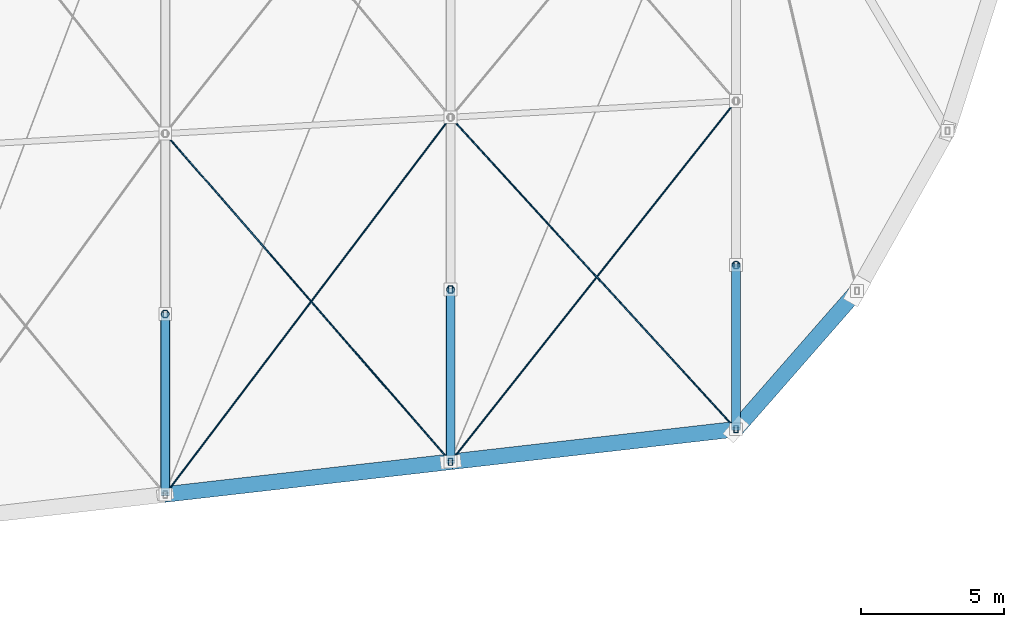
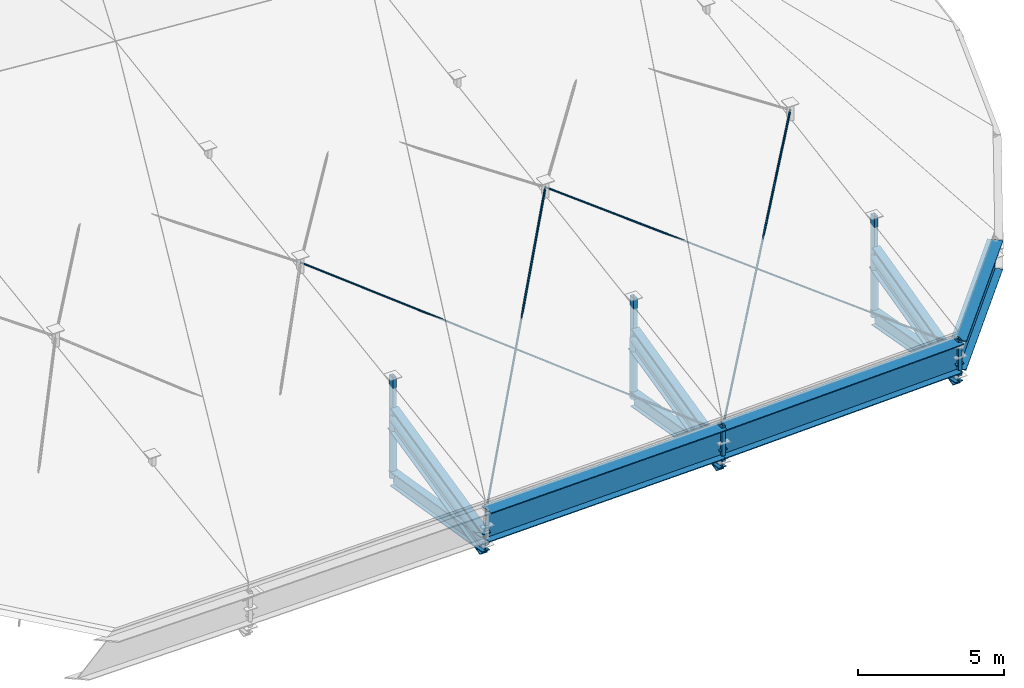
# One storey, part 23 of 68: 15 members, 9 beams.
"""IFC4 building model written with IfcOpenShell, lengths in metres."""

from ifc_helpers import new_model, si_unit, direction, frame, origin, origin_2d, place, context, subcontext, project, spatial, hollow_rectangle, circle, hollow_circle, i_section, extrude, material, material_profile, profile_set, type_object, element, save


model = new_model("IFC4")

# Units and contexts
model_context = context("Model", 3, precision=1e-05, world=origin(), true_north=direction((0.0, 1.0)))
body_context = subcontext(model_context, "Body", "Model", "MODEL_VIEW")
ifc_project = project(units=[si_unit("LENGTHUNIT", "METRE"), si_unit("AREAUNIT", "SQUARE_METRE"), si_unit("VOLUMEUNIT", "CUBIC_METRE"), si_unit("PLANEANGLEUNIT", "RADIAN"), si_unit("MASSUNIT", "GRAM", prefix="KILO")], contexts=[model_context])

# Site, building, storey
site_placement = place(None, origin())
site = spatial("IfcSite", under=ifc_project, at=site_placement, CompositionType="ELEMENT")
building_placement = place(site_placement, origin())
building = spatial("IfcBuilding", under=site, at=building_placement, Name="Sohan Crest Arena", CompositionType="ELEMENT")
storey_placement = place(building_placement, frame((0.0, 0.0, 27.0)))
storey = spatial("IfcBuildingStorey", under=building, at=storey_placement, Name="RF", CompositionType="ELEMENT", Elevation=27.0)

# Beams
ifc_material_1 = material(Name="Steel S355", Category="steel")
ifc_material_profile_1 = material_profile(ifc_material_1, i_section(OverallWidth=0.300048828125, OverallDepth=0.60009765625, WebThickness=0.015380859375, FlangeThickness=0.030029296875, at=origin_2d()), Name="HEB 600")
ifc_profile_set_1 = profile_set([ifc_material_profile_1], Name="Steel S355")
beam_type_1 = type_object("IfcBeamType", Name="STR-BM-B15", PredefinedType="BEAM", material=ifc_profile_set_1)
beam_1_placement = place(storey_placement, frame((148.0, 52.714111328125, -2.806884765625), z_axis=(0.0, 0.986480290831, -0.163879943255), x_axis=(-1.0, 0.0, 0.0)))
element("IfcBeam", 1, at=beam_1_placement, inside=storey, type_object=beam_type_1, Name="Structural beam RAB-RF-3097", PredefinedType="BEAM", context=body_context, shape_type="SweptSolid", body=[
    extrude(i_section(OverallWidth=0.300048828125, OverallDepth=0.60009765625, WebThickness=0.015380859375, FlangeThickness=0.030029296875, at=origin_2d()), origin(), (0.0, 0.0, 1.0), 6.407470703125),
])
beam_2_placement = place(storey_placement, frame((158.0, 53.85693359375, -3.511962890625), z_axis=(0.0, 0.985203857274, -0.171386579442), x_axis=(-1.0, 0.0, 0.0)))
element("IfcBeam", 2, at=beam_2_placement, inside=storey, type_object=beam_type_1, Name="Structural beam RAB-RF-3113", PredefinedType="BEAM", context=body_context, shape_type="SweptSolid", body=[
    extrude(i_section(OverallWidth=0.300048828125, OverallDepth=0.60009765625, WebThickness=0.015380859375, FlangeThickness=0.030029296875, at=origin_2d()), origin(), (0.0, 0.0, 1.0), 6.126708984375),
])
beam_3_placement = place(storey_placement, frame((168.0, 55.0, -4.131103515625), z_axis=(0.0, 0.983738659396, -0.179605818419), x_axis=(-1.0, 0.0, 0.0)))
element("IfcBeam", 3, at=beam_3_placement, inside=storey, type_object=beam_type_1, Name="Structural beam RAB-RF-3129", PredefinedType="BEAM", context=body_context, shape_type="SweptSolid", body=[
    extrude(i_section(OverallWidth=0.300048828125, OverallDepth=0.60009765625, WebThickness=0.015380859375, FlangeThickness=0.030029296875, at=origin_2d()), origin(), (0.0, 0.0, 1.0), 5.844970703125),
])
ifc_material_profile_2 = material_profile(ifc_material_1, i_section(OverallWidth=0.300048828125, OverallDepth=1.0, WebThickness=0.01904296875, FlangeThickness=0.035888671875, at=origin_2d()), Name="HEB 1000")
ifc_profile_set_2 = profile_set([ifc_material_profile_2], Name="Steel S355")
beam_type_2 = type_object("IfcBeamType", Name="STR-BM-B19", PredefinedType="BEAM", material=ifc_profile_set_2)
beam_4_placement = place(storey_placement, frame((148.0, 52.714111328125, -2.806884765625), z_axis=(0.0, 0.97488887861, 0.222691882121), x_axis=(-1.0, 0.0, 0.0)))
element("IfcBeam", 4, at=beam_4_placement, inside=storey, type_object=beam_type_2, Name="Structural beam RA-RF-3096", PredefinedType="BEAM", context=body_context, shape_type="SweptSolid", body=[
    extrude(i_section(OverallWidth=0.300048828125, OverallDepth=1.0, WebThickness=0.01904296875, FlangeThickness=0.035888671875, at=origin_2d()), origin(), (0.0, 0.0, 1.0), 6.483642578125),
])
beam_5_placement = place(storey_placement, frame((158.0, 53.85693359375, -3.511962890625), z_axis=(0.0, 0.972590498499, 0.232524670151), x_axis=(-1.0, 0.0, 0.0)))
element("IfcBeam", 5, at=beam_5_placement, inside=storey, type_object=beam_type_2, Name="Structural beam RA-RF-3112", PredefinedType="BEAM", context=body_context, shape_type="SweptSolid", body=[
    extrude(i_section(OverallWidth=0.300048828125, OverallDepth=1.0, WebThickness=0.01904296875, FlangeThickness=0.035888671875, at=origin_2d()), origin(), (0.0, 0.0, 1.0), 6.205322265625),
])
beam_6_placement = place(storey_placement, frame((168.0, 55.0, -4.131103515625), z_axis=(0.0, 0.969919223088, 0.243426992513), x_axis=(-1.0, 0.0, 0.0)))
element("IfcBeam", 6, at=beam_6_placement, inside=storey, type_object=beam_type_2, Name="Structural beam RA-RF-3128", PredefinedType="BEAM", context=body_context, shape_type="SweptSolid", body=[
    extrude(i_section(OverallWidth=0.300048828125, OverallDepth=1.0, WebThickness=0.01904296875, FlangeThickness=0.035888671875, at=origin_2d()), origin(), (0.0, 0.0, 1.0), 5.92822265625),
])
ifc_material_profile_3 = material_profile(ifc_material_1, i_section(OverallWidth=0.550048828125, OverallDepth=1.199951171875, WebThickness=0.02197265625, FlangeThickness=0.034912109375, at=origin_2d()), Name="PG 1200x550x22x35")
ifc_profile_set_3 = profile_set([ifc_material_profile_3], Name="Steel S355")
beam_type_3 = type_object("IfcBeamType", Name="STR-BM-RB01", PredefinedType="USERDEFINED", material=ifc_profile_set_3)
beam_7_placement = place(storey_placement, frame((148.0, 52.714111328125, -1.9970703125), z_axis=(0.991105911769, 0.113265790356, -0.069856512873), x_axis=(-0.113543170668, 0.993533063564, 0.0)))
element("IfcBeam", 7, at=beam_7_placement, inside=storey, type_object=beam_type_3, Name="Rising compression ring beam segment RB-18", ObjectType="RING BEAM", PredefinedType="USERDEFINED", context=body_context, shape_type="SweptSolid", body=[
    extrude(i_section(OverallWidth=0.550048828125, OverallDepth=1.199951171875, WebThickness=0.02197265625, FlangeThickness=0.034912109375, at=origin_2d()), origin(), (0.0, 0.0, 1.0), 10.08984375),
])
beam_8_placement = place(storey_placement, frame((158.0, 53.85693359375, -2.701904296875), z_axis=(0.991655929777, 0.113352857989, -0.061397447215), x_axis=(-0.113567114035, 0.99353032697, 0.0)))
element("IfcBeam", 8, at=beam_8_placement, inside=storey, type_object=beam_type_3, Name="Rising compression ring beam segment RB-19", ObjectType="RING BEAM", PredefinedType="USERDEFINED", context=body_context, shape_type="SweptSolid", body=[
    extrude(i_section(OverallWidth=0.550048828125, OverallDepth=1.199951171875, WebThickness=0.02197265625, FlangeThickness=0.034912109375, at=origin_2d()), origin(), (0.0, 0.0, 1.0), 10.084228515625),
])
beam_9_placement = place(storey_placement, frame((168.0, 55.0, -3.321044921875), z_axis=(0.658345836045, 0.751913602604, -0.034737506856), x_axis=(-0.752367678553, 0.658743407002, 0.0)))
element("IfcBeam", 9, at=beam_9_placement, inside=storey, type_object=beam_type_3, Name="Rising compression ring beam segment RB-20", ObjectType="RING BEAM", PredefinedType="USERDEFINED", context=body_context, shape_type="SweptSolid", body=[
    extrude(i_section(OverallWidth=0.550048828125, OverallDepth=1.199951171875, WebThickness=0.02197265625, FlangeThickness=0.034912109375, at=origin_2d()), origin(), (0.0, 0.0, 1.0), 6.44482421875),
])

# Members
ifc_material_profile_4 = material_profile(ifc_material_1, hollow_circle(Radius=0.136474609375, WallThickness=0.012451171875, at=origin_2d()), Name="CHS 273x12.5")
ifc_profile_set_4 = profile_set([ifc_material_profile_4], Name="Steel S355")
member_type_1 = type_object("IfcMemberType", Name="STR-MEM-BR02", PredefinedType="BRACE", material=ifc_profile_set_4)
member_1_placement = place(storey_placement, frame((148.0, 59.034912109375, -3.85693359375), z_axis=(0.0, 0.0, 1.0), x_axis=(1.0, 0.0, 0.0)))
element("IfcMember", 10, at=member_1_placement, inside=storey, type_object=member_type_1, Name="Lenticular roof truss web strut TW-191", PredefinedType="BRACE", context=body_context, shape_type="SweptSolid", body=[
    extrude(hollow_circle(Radius=0.136474609375, WallThickness=0.012451171875, at=origin_2d()), origin(), (0.0, 0.0, 1.0), 2.493896484375),
])
for number, where, z_axis, x_axis, name in (
    (11, (158.0, 59.89306640625, -4.56201171875), (0.0, -0.000391734374, 0.999999923272), (1.0, 0.0, 0.0), "Lenticular roof truss web strut TW-215"),
    (12, (168.0, 60.75, -5.180908203125), (0.0, 0.0, 1.0), (1.0, 0.0, 0.0), "Lenticular roof truss web strut TW-239"),
):
    element("IfcMember", number, at=place(storey_placement, frame(where, z_axis=z_axis, x_axis=x_axis)), inside=storey, type_object=member_type_1, Name=name, PredefinedType="BRACE", context=body_context, shape_type="SweptSolid", body=[
        extrude(hollow_circle(Radius=0.136474609375, WallThickness=0.012451171875, at=origin_2d()), origin(), (0.0, 0.0, 1.0), 2.492919921875),
    ])
ifc_material_profile_5 = material_profile(ifc_material_1, hollow_circle(Radius=0.161865234375, WallThickness=0.012451171875, at=origin_2d()), Name="CHS 323.9x12.5")
ifc_profile_set_5 = profile_set([ifc_material_profile_5], Name="Steel S355")
member_type_2 = type_object("IfcMemberType", Name="STR-MEM-BR03", PredefinedType="BRACE", material=ifc_profile_set_5)
member_2_placement = place(storey_placement, frame((148.0, 52.714111328125, -2.806884765625), z_axis=(0.0, 0.97488887861, 0.222691882121), x_axis=(-1.0, 0.0, 0.0)))
element("IfcMember", 13, at=member_2_placement, inside=storey, type_object=member_type_2, Name="Lenticular roof truss web diagonal TD-190", PredefinedType="BRACE", context=body_context, shape_type="SweptSolid", body=[
    extrude(hollow_circle(Radius=0.161865234375, WallThickness=0.012451171875, at=origin_2d()), origin(), (0.0, 0.0, 1.0), 6.483642578125),
])
member_3_placement = place(storey_placement, frame((158.0, 53.85693359375, -3.511962890625), z_axis=(0.0, 0.972590498499, 0.232524670151), x_axis=(-1.0, 0.0, 0.0)))
element("IfcMember", 14, at=member_3_placement, inside=storey, type_object=member_type_2, Name="Lenticular roof truss web diagonal TD-214", PredefinedType="BRACE", context=body_context, shape_type="SweptSolid", body=[
    extrude(hollow_circle(Radius=0.161865234375, WallThickness=0.012451171875, at=origin_2d()), origin(), (0.0, 0.0, 1.0), 6.205322265625),
])
member_4_placement = place(storey_placement, frame((168.0, 55.0, -4.131103515625), z_axis=(0.0, 0.969919223088, 0.243426992513), x_axis=(-1.0, 0.0, 0.0)))
element("IfcMember", 15, at=member_4_placement, inside=storey, type_object=member_type_2, Name="Lenticular roof truss web diagonal TD-238", PredefinedType="BRACE", context=body_context, shape_type="SweptSolid", body=[
    extrude(hollow_circle(Radius=0.161865234375, WallThickness=0.012451171875, at=origin_2d()), origin(), (0.0, 0.0, 1.0), 5.92822265625),
])
ifc_material_2 = material(Name="Steel S460", Category="steel")
ifc_material_profile_6 = material_profile(ifc_material_2, circle(Radius=0.031982421875, at=origin_2d()), Name="FLC D64")
ifc_profile_set_6 = profile_set([ifc_material_profile_6], Name="Steel S460")
member_type_3 = type_object("IfcMemberType", Name="STR-MEM-CB01", PredefinedType="USERDEFINED", material=ifc_profile_set_6)
member_5_placement = place(storey_placement, frame((148.0, 52.714111328125, -1.626953125), z_axis=(0.598291069184, 0.790573872766, 0.130540216926), x_axis=(-0.79739718864, 0.603454823122, 0.0)))
element("IfcMember", 16, at=member_5_placement, inside=storey, type_object=member_type_3, Name="Full-locked-coil roof cable CB-041", ObjectType="CABLE", PredefinedType="USERDEFINED", context=body_context, shape_type="SweptSolid", body=[
    extrude(circle(Radius=0.031982421875, at=origin_2d()), origin(), (0.0, 0.0, 1.0), 16.71435546875),
])
member_6_placement = place(storey_placement, frame((158.0, 53.85693359375, -2.33203125), z_axis=(0.614305254837, 0.776670213061, 0.139328511168), x_axis=(-0.784320304822, 0.620356074721, 0.0)))
element("IfcMember", 17, at=member_6_placement, inside=storey, type_object=member_type_3, Name="Full-locked-coil roof cable CB-049", ObjectType="CABLE", PredefinedType="USERDEFINED", context=body_context, shape_type="SweptSolid", body=[
    extrude(circle(Radius=0.031982421875, at=origin_2d()), origin(), (0.0, 0.0, 1.0), 16.278564453125),
])
ifc_material_profile_7 = material_profile(ifc_material_2, circle(Radius=0.02587890625, at=origin_2d()), Name="FLC D52")
ifc_profile_set_7 = profile_set([ifc_material_profile_7], Name="Steel S460")
member_type_4 = type_object("IfcMemberType", Name="STR-MEM-CB02", PredefinedType="USERDEFINED", material=ifc_profile_set_7)
member_7_placement = place(storey_placement, frame((148.0, 65.35693359375, 1.260986328125), z_axis=(0.638668347028, -0.734468599083, -0.229474659746), x_axis=(0.754605522164, 0.656178714925, 0.0)))
element("IfcMember", 18, at=member_7_placement, inside=storey, type_object=member_type_4, Name="Full-locked-coil roof cable CB-042", ObjectType="CABLE", PredefinedType="USERDEFINED", context=body_context, shape_type="SweptSolid", body=[
    extrude(circle(Radius=0.02587890625, at=origin_2d()), origin(), (0.0, 0.0, 1.0), 15.657470703125),
])
member_8_placement = place(storey_placement, frame((158.0, 65.927978515625, 0.554931640625), z_axis=(0.656940380802, -0.717903036745, -0.230314059285), x_axis=(0.737736073835, 0.675089242517, 0.0)))
element("IfcMember", 19, at=member_8_placement, inside=storey, type_object=member_type_4, Name="Full-locked-coil roof cable CB-050", ObjectType="CABLE", PredefinedType="USERDEFINED", context=body_context, shape_type="SweptSolid", body=[
    extrude(circle(Radius=0.02587890625, at=origin_2d()), origin(), (0.0, 0.0, 1.0), 15.22216796875),
])
ifc_material_profile_8 = material_profile(ifc_material_1, hollow_rectangle(XDim=0.14990234375, YDim=0.25, WallThickness=0.010009765625, at=origin_2d()), Name="RHS 250x150x10")
ifc_profile_set_8 = profile_set([ifc_material_profile_8], Name="Steel S355")
member_type_5 = type_object("IfcMemberType", Name="STR-MEM-CH02", PredefinedType="CHORD", material=ifc_profile_set_8)
member_9_placement = place(storey_placement, frame((148.0, 59.034912109375, -1.363037109375), z_axis=(0.0, 0.0, 1.0), x_axis=(1.0, 0.0, 0.0)))
element("IfcMember", 20, at=member_9_placement, inside=storey, type_object=member_type_5, Name="Roof deck bearing saddle chord RSP-182", PredefinedType="CHORD", context=body_context, shape_type="SweptSolid", body=[
    extrude(hollow_rectangle(XDim=0.14990234375, YDim=0.25, WallThickness=0.010009765625, at=origin_2d()), origin(), (0.0, 0.0, 1.0), 1.72998046875),
])
member_10_placement = place(storey_placement, frame((158.0, 53.85693359375, -3.511962890625), z_axis=(0.0, 0.0, 1.0), x_axis=(1.0, 0.0, 0.0)))
element("IfcMember", 21, at=member_10_placement, inside=storey, type_object=member_type_5, Name="Roof deck bearing saddle chord RSP-205", PredefinedType="CHORD", context=body_context, shape_type="SweptSolid", body=[
    extrude(hollow_rectangle(XDim=0.14990234375, YDim=0.25, WallThickness=0.010009765625, at=origin_2d()), origin(), (0.0, 0.0, 1.0), 1.489990234375),
])
member_11_placement = place(storey_placement, frame((158.0, 59.89208984375, -2.069091796875), z_axis=(0.0, 0.000564095242, 0.999999840898), x_axis=(1.0, 0.0, 0.0)))
element("IfcMember", 22, at=member_11_placement, inside=storey, type_object=member_type_5, Name="Roof deck bearing saddle chord RSP-206", PredefinedType="CHORD", context=body_context, shape_type="SweptSolid", body=[
    extrude(hollow_rectangle(XDim=0.14990234375, YDim=0.25, WallThickness=0.010009765625, at=origin_2d()), origin(), (0.0, 0.0, 1.0), 1.731201171875),
])
member_12_placement = place(storey_placement, frame((168.0, 55.0, -4.131103515625), z_axis=(0.0, 0.0, 1.0), x_axis=(1.0, 0.0, 0.0)))
element("IfcMember", 23, at=member_12_placement, inside=storey, type_object=member_type_5, Name="Roof deck bearing saddle chord RSP-229", PredefinedType="CHORD", context=body_context, shape_type="SweptSolid", body=[
    extrude(hollow_rectangle(XDim=0.14990234375, YDim=0.25, WallThickness=0.010009765625, at=origin_2d()), origin(), (0.0, 0.0, 1.0), 1.489990234375),
])
member_13_placement = place(storey_placement, frame((168.0, 60.75, -2.68798828125), z_axis=(0.0, 0.0, 1.0), x_axis=(1.0, 0.0, 0.0)))
element("IfcMember", 24, at=member_13_placement, inside=storey, type_object=member_type_5, Name="Roof deck bearing saddle chord RSP-230", PredefinedType="CHORD", context=body_context, shape_type="SweptSolid", body=[
    extrude(hollow_rectangle(XDim=0.14990234375, YDim=0.25, WallThickness=0.010009765625, at=origin_2d()), origin(), (0.0, 0.0, 1.0), 1.73095703125),
])

save(model, "model.ifc")
